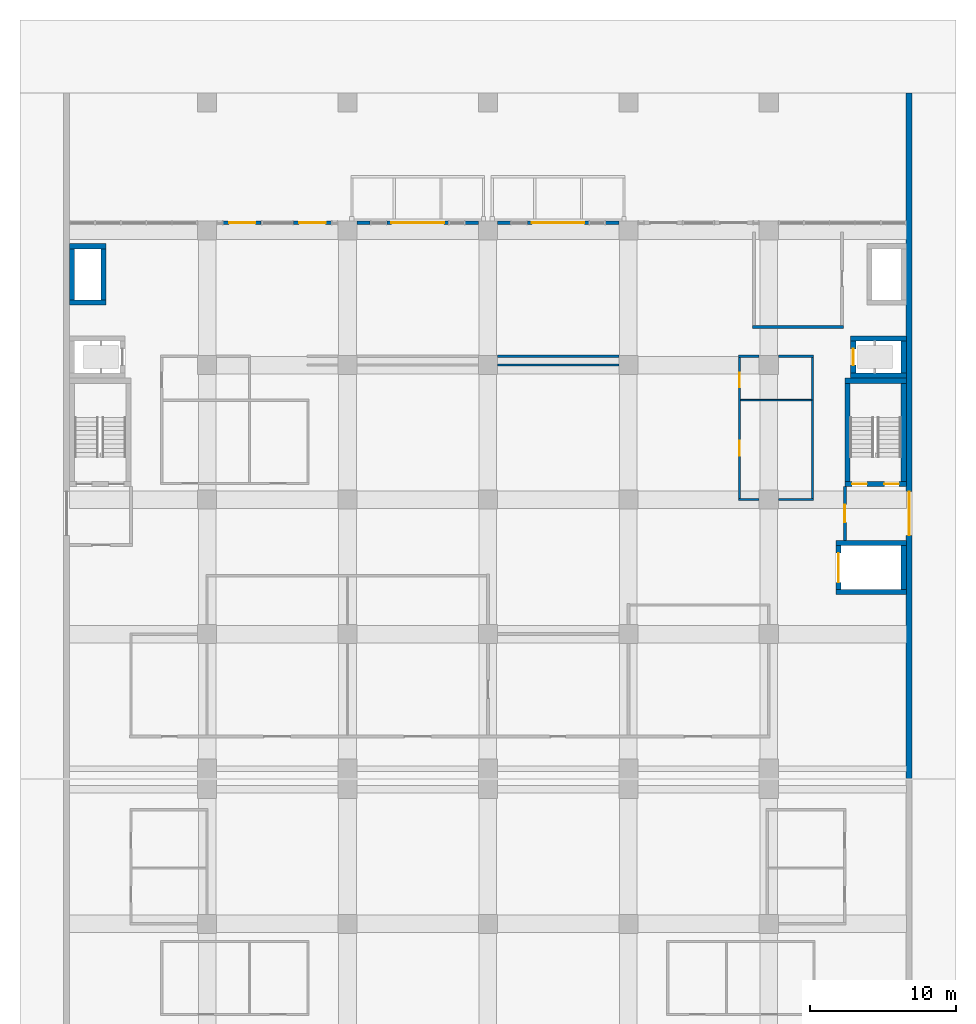
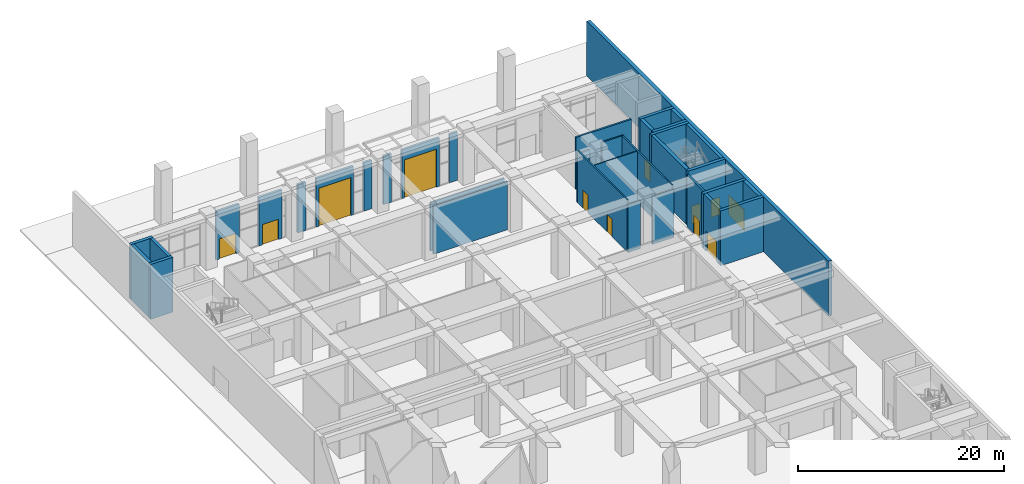
# One storey, part 22 of 45: 36 walls, 12 doors, 12 openings.
"""IFC4 building model written with IfcOpenShell, lengths in metres."""

import ifcopenshell
import ifcopenshell.guid

model = None  # the IFC model being written
_history = None  # IfcOwnerHistory: only IFC2X3 demands one
_inside = {}  # id of a spatial element -> (the spatial element, [elements in it])
_under = {}  # id of a project, library or spatial element -> (it, [spatial elements below it])
_declared = {}  # id of a project -> (the project, [libraries it declares])
_typed = {}  # id of a type object -> (the type object, [elements of that type])
_made_of = {}  # id of a material, layer set ... -> (it, [elements and type objects made of it])


def new_model(schema):
    """Start an empty IFC model of exactly this schema.

    Asked for "IFC4X3", IfcOpenShell would pick the latest addendum, in which some entities
    have other attributes; the version numbers below select the first issue.
    IFC2X3 requires an IfcOwnerHistory on every rooted entity: one is made here for all.
    """
    global model, _history
    if schema == "IFC4X3":
        model = ifcopenshell.file(schema_version=(4, 3, 0, 0))
    else:
        model = ifcopenshell.file(schema=schema)
    _inside.clear()
    _under.clear()
    _declared.clear()
    _typed.clear()
    _made_of.clear()
    _history = None
    if model.schema == "IFC2X3":
        org = make("IfcOrganization", Name="unknown")
        user = make(
            "IfcPersonAndOrganization",
            ThePerson=make("IfcPerson", FamilyName="unknown"),
            TheOrganization=org,
        )
        app = make(
            "IfcApplication",
            ApplicationDeveloper=org,
            Version="unknown",
            ApplicationFullName="unknown",
            ApplicationIdentifier="unknown",
        )
        _history = make(
            "IfcOwnerHistory",
            OwningUser=user,
            OwningApplication=app,
            ChangeAction="ADDED",
            CreationDate=0,
        )
    return model


def make(cls, **values):
    """One entity of the class cls with the attributes given. An attribute that is None is left unset."""
    return model.create_entity(
        cls, **{name: value for name, value in values.items() if value is not None}
    )


def rooted(cls, **values):
    """An entity with a GlobalId (a new one), such as an element, a storey or a relation."""
    return make(cls, GlobalId=ifcopenshell.guid.new(), OwnerHistory=_history, **values)


def si_unit(unit_type, name, prefix=None):
    """IfcSIUnit, for example si_unit("LENGTHUNIT", "METRE", prefix="MILLI")."""
    return make("IfcSIUnit", UnitType=unit_type, Prefix=prefix, Name=name)


def assignment(units):
    """IfcUnitAssignment: the units of a project."""
    return None if units is None else make("IfcUnitAssignment", Units=units)


def point(xyz):
    """IfcCartesianPoint."""
    return None if xyz is None else make("IfcCartesianPoint", Coordinates=xyz)


def direction(xyz):
    """IfcDirection."""
    return None if xyz is None else make("IfcDirection", DirectionRatios=xyz)


def frame(location, z_axis=None, x_axis=None):
    """IfcAxis2Placement3D, a coordinate frame: its origin and axes. An axis left out is left unset."""
    return make(
        "IfcAxis2Placement3D",
        Location=point(location),
        Axis=direction(z_axis),
        RefDirection=direction(x_axis),
    )


def frame_2d(location, x_axis=None):
    """IfcAxis2Placement2D, a coordinate frame in the plane: its origin and x axis."""
    return make(
        "IfcAxis2Placement2D", Location=point(location), RefDirection=direction(x_axis)
    )


def origin():
    """The frame at (0, 0, 0) with its axes left unset."""
    return frame((0.0, 0.0, 0.0))


def place(relative_to, where):
    """IfcLocalPlacement: puts the frame where relative to a parent placement (None: the world)."""
    return make(
        "IfcLocalPlacement", PlacementRelTo=relative_to, RelativePlacement=where
    )


def context(
    kind, dimensions, precision=None, world=None, true_north=None, identifier=None
):
    """IfcGeometricRepresentationContext, for example the 3D "Model" context."""
    return make(
        "IfcGeometricRepresentationContext",
        ContextIdentifier=identifier,
        ContextType=kind,
        CoordinateSpaceDimension=dimensions,
        Precision=precision,
        WorldCoordinateSystem=world,
        TrueNorth=true_north,
    )


def subcontext(parent, identifier, kind, view, scale=None):
    """IfcGeometricRepresentationSubContext, for example "Body" below "Model"."""
    return make(
        "IfcGeometricRepresentationSubContext",
        ContextIdentifier=identifier,
        ContextType=kind,
        ParentContext=parent,
        TargetScale=scale,
        TargetView=view,
    )


def project(units=None, contexts=None):
    """IfcProject with its units and contexts."""
    return rooted(
        "IfcProject",
        Name="project",
        RepresentationContexts=contexts,
        UnitsInContext=assignment(units),
    )


def spatial(cls, under=None, at=None, **own):
    """A site, building, storey or space (cls), placed at a placement, below another one or the project."""
    s = rooted(cls, ObjectPlacement=at, **own)
    if under is not None:
        _under.setdefault(under.id(), (under, []))[1].append(s)
    return s


def profile(cls, at=None, kind="AREA", **sizes):
    """A parametric profile (cls). Its sizes go by their IFC names, for example OverallWidth=200.0."""
    return make(cls, ProfileType=kind, Position=at, **sizes)


def rectangle(**sizes):
    """IfcRectangleProfileDef."""
    return profile("IfcRectangleProfileDef", **sizes)


def extrude(swept, where, along, depth):
    """IfcExtrudedAreaSolid: the profile swept, set in the frame where, extruded along a direction by depth."""
    return make(
        "IfcExtrudedAreaSolid",
        SweptArea=swept,
        Position=where,
        ExtrudedDirection=direction(along),
        Depth=depth,
    )


def shape(context_of_items, identifier, shape_type, items):
    """IfcShapeRepresentation: the items that make up one representation, for example the "Body"."""
    return make(
        "IfcShapeRepresentation",
        ContextOfItems=context_of_items,
        RepresentationIdentifier=identifier,
        RepresentationType=shape_type,
        Items=items,
    )


def material(Name=None, Category=None):
    """IfcMaterial."""
    return make("IfcMaterial", Name=Name, Category=Category)


def layer(
    of_material, thickness, ventilated=None, Name=None, Category=None, Priority=None
):
    """IfcMaterialLayer: one layer of a wall or slab, of a material (None: an air gap)."""
    return make(
        "IfcMaterialLayer",
        Material=of_material,
        LayerThickness=thickness,
        IsVentilated=ventilated,
        Name=Name,
        Category=Category,
        Priority=Priority,
    )


def layer_set(layers, Name=None):
    """IfcMaterialLayerSet."""
    return make("IfcMaterialLayerSet", MaterialLayers=layers, LayerSetName=Name)


def layer_usage(for_layer_set, set_direction, sense, offset, extent=None):
    """IfcMaterialLayerSetUsage: how a layer set lies in its element."""
    return make(
        "IfcMaterialLayerSetUsage",
        ForLayerSet=for_layer_set,
        LayerSetDirection=set_direction,
        DirectionSense=sense,
        OffsetFromReferenceLine=offset,
        ReferenceExtent=extent,
    )


def made_of(thing, what):
    """Note that an element or type object is made of a material, layer set ...; save() writes the relation."""
    if what is not None:
        _made_of.setdefault(what.id(), (what, []))[1].append(thing)
    return thing


def type_object(cls, material=None, **own):
    """A type object (cls), such as IfcWallType, which elements share."""
    return made_of(rooted(cls, **own), material)


def element(
    cls,
    number,
    at=None,
    inside=None,
    cuts=None,
    type_object=None,
    material=None,
    context=None,
    identifier="Body",
    shape_type=None,
    held_by="IfcProductDefinitionShape",
    body=None,
    shapes=None,
    **own,
):
    """One element of the class cls, such as IfcWall. Its Tag is "e" and its number.

    at: its placement. inside: the storey or other place that contains it. cuts: it is an
    opening in that element (IfcRelVoidsElement). A single representation is given by context,
    identifier, shape_type and body (its items); several are given by shapes. held_by: the class
    of the entity that holds the representations. save() writes the other relations.
    """
    e = rooted(cls, Tag="e%d" % number, ObjectPlacement=at, **own)
    if body is not None:
        shapes = [shape(context, identifier, shape_type, body)]
    if shapes is not None:
        e.Representation = make(held_by, Representations=shapes)
    if inside is not None:
        _inside.setdefault(inside.id(), (inside, []))[1].append(e)
    if cuts is not None:
        rooted(
            "IfcRelVoidsElement", RelatingBuildingElement=cuts, RelatedOpeningElement=e
        )
    if type_object is not None:
        _typed.setdefault(type_object.id(), (type_object, []))[1].append(e)
    return made_of(e, material)


def fill(opening, filler):
    """IfcRelFillsElement: the door or window that sits in an opening."""
    return rooted(
        "IfcRelFillsElement",
        RelatingOpeningElement=opening,
        RelatedBuildingElement=filler,
    )


def aggregate(whole, parts):
    """IfcRelAggregates: a whole, such as a stair, and the parts it consists of."""
    return rooted("IfcRelAggregates", RelatingObject=whole, RelatedObjects=parts)


def save(model, path):
    """Write the relations noted so far, then the file.

    IfcRelAggregates (storeys below a building ...), IfcRelContainedInSpatialStructure (elements
    in a storey), IfcRelDefinesByType, IfcRelAssociatesMaterial and IfcRelDeclares: one each for
    every whole, place, type object, material and project.
    """
    for whole, parts in _under.values():
        aggregate(whole, parts)
    for where, things in _inside.values():
        rooted(
            "IfcRelContainedInSpatialStructure",
            RelatedElements=things,
            RelatingStructure=where,
        )
    for kind, things in _typed.values():
        rooted("IfcRelDefinesByType", RelatedObjects=things, RelatingType=kind)
    for what, things in _made_of.values():
        rooted("IfcRelAssociatesMaterial", RelatedObjects=things, RelatingMaterial=what)
    for by, libraries in _declared.values():
        rooted("IfcRelDeclares", RelatingContext=by, RelatedDefinitions=libraries)
    model.write(path)


model = new_model("IFC4")

# Units and contexts
model_context = context("Model", 3, precision=1e-05, world=origin(), true_north=direction((0.0, 1.0)))
body_context = subcontext(model_context, "Body", "Model", "MODEL_VIEW")
ifc_project = project(units=[si_unit("LENGTHUNIT", "METRE"), si_unit("AREAUNIT", "SQUARE_METRE"), si_unit("VOLUMEUNIT", "CUBIC_METRE"), si_unit("PLANEANGLEUNIT", "RADIAN"), si_unit("MASSUNIT", "GRAM", prefix="KILO")], contexts=[model_context])

# Site, building, storey
site_placement = place(None, origin())
site = spatial("IfcSite", under=ifc_project, at=site_placement, CompositionType="ELEMENT")
building_placement = place(site_placement, origin())
building = spatial("IfcBuilding", under=site, at=building_placement, Name="Nzadi Deep Aquarium and Research Tower", CompositionType="ELEMENT")
storey_placement = place(building_placement, origin())
storey = spatial("IfcBuildingStorey", under=building, at=storey_placement, Name="G", CompositionType="ELEMENT", Elevation=0.0)

# Wall, opening, door
ifc_material_1 = material(Name="Concrete C35/45", Category="concrete")
ifc_layer_1 = layer(ifc_material_1, 0.199951171875, Category="cladding")
ifc_material_2 = material(Name="Mineral wool insulation")
ifc_layer_2 = layer(ifc_material_2, 0.050048828125, Category="insulation")
ifc_layer_set_1 = layer_set([ifc_layer_1, ifc_layer_2], Name="Concrete C35/45, Mineral wool insulation")
ifc_layer_usage_1 = layer_usage(ifc_layer_set_1, "AXIS2", "POSITIVE", -0.125)
wall_type_1 = type_object("IfcWallType", Name="Entrance pier wall stone clad 250", PredefinedType="ELEMENTEDWALL", material=ifc_layer_set_1)
wall_1_placement = place(storey_placement, frame((13.300048828125, 132.125, 0.0), z_axis=(0.0, 0.0, 1.0), x_axis=(-1.0, 0.0, 0.0)))
wall_1 = element("IfcWall", 1, at=wall_1_placement, inside=storey, type_object=wall_type_1, material=ifc_layer_usage_1, Name="Entrance pier G", PredefinedType="ELEMENTEDWALL", context=body_context, shape_type="SweptSolid", body=[
    extrude(rectangle(XDim=2.60009765625, YDim=0.25, at=frame_2d((1.300048828125, 0.0))), origin(), (0.0, 0.0, 1.0), 5.75),
])
opening_1_placement = place(wall_1_placement, frame((0.39990234375, 0.0, 0.0)))
opening_1 = element("IfcOpeningElement", 2, at=opening_1_placement, cuts=wall_1, Name="Opening DE007", PredefinedType="OPENING", context=body_context, shape_type="SweptSolid", body=[
    extrude(rectangle(XDim=1.800048828125, YDim=2.39990234375, at=frame_2d((0.89990234375, 1.199951171875))), frame((0.0, 0.135009765625, 0.0), z_axis=(0.0, -1.0, 0.0), x_axis=(1.0, 0.0, 0.0)), (0.0, 0.0, 1.0), 0.27001953125),
])
ifc_material_3 = material(Name="Aluminium framed glazing", Category="aluminium")
door_type_1 = type_object("IfcDoorType", Name="Main entrance double door 1800x2400", OperationType="DOUBLE_DOOR_SINGLE_SWING", PredefinedType="DOOR", material=ifc_material_3)
door_1_placement = place(opening_1_placement, frame((1.800048828125, 0.0, 0.0), z_axis=(0.0, 0.0, 1.0), x_axis=(-1.0, 0.0, 0.0)))
door_1 = element("IfcDoor", 3, at=door_1_placement, inside=storey, type_object=door_type_1, Name="Main entrance 1", OperationType="DOUBLE_DOOR_SINGLE_SWING", OverallHeight=2.39990234375, OverallWidth=1.800048828125, PredefinedType="DOOR", context=body_context, shape_type="SweptSolid", body=[
    extrude(rectangle(XDim=1.800048828125, YDim=2.39990234375, at=frame_2d((0.89990234375, 1.199951171875))), frame((0.0, 0.02490234375, 0.0), z_axis=(0.0, -1.0, 0.0), x_axis=(1.0, 0.0, 0.0)), (0.0, 0.0, 1.0), 0.050048828125),
])
fill(opening_1, door_1)

ifc_layer_usage_2 = layer_usage(ifc_layer_set_1, "AXIS2", "POSITIVE", -0.125)
wall_2_placement = place(storey_placement, frame((18.10009765625, 132.125, 0.0), z_axis=(0.0, 0.0, 1.0), x_axis=(-1.0, 0.0, 0.0)))
wall_2 = element("IfcWall", 4, at=wall_2_placement, inside=storey, type_object=wall_type_1, material=ifc_layer_usage_2, Name="Entrance pier G", PredefinedType="ELEMENTEDWALL", context=body_context, shape_type="SweptSolid", body=[
    extrude(rectangle(XDim=2.60009765625, YDim=0.25, at=frame_2d((1.300048828125, 0.0))), origin(), (0.0, 0.0, 1.0), 5.75),
])
opening_2_placement = place(wall_2_placement, frame((0.39990234375, 0.0, 0.0)))
opening_2 = element("IfcOpeningElement", 5, at=opening_2_placement, cuts=wall_2, Name="Opening DE008", PredefinedType="OPENING", context=body_context, shape_type="SweptSolid", body=[
    extrude(rectangle(XDim=1.800048828125, YDim=2.39990234375, at=frame_2d((0.89990234375, 1.199951171875))), frame((0.0, 0.135009765625, 0.0), z_axis=(0.0, -1.0, 0.0), x_axis=(1.0, 0.0, 0.0)), (0.0, 0.0, 1.0), 0.27001953125),
])
door_2_placement = place(opening_2_placement, frame((1.800048828125, 0.0, 0.0), z_axis=(0.0, 0.0, 1.0), x_axis=(-1.0, 0.0, 0.0)))
door_2 = element("IfcDoor", 6, at=door_2_placement, inside=storey, type_object=door_type_1, Name="Main entrance 2", OperationType="DOUBLE_DOOR_SINGLE_SWING", OverallHeight=2.39990234375, OverallWidth=1.800048828125, PredefinedType="DOOR", context=body_context, shape_type="SweptSolid", body=[
    extrude(rectangle(XDim=1.800048828125, YDim=2.39990234375, at=frame_2d((0.89990234375, 1.199951171875))), frame((0.0, 0.02490234375, 0.0), z_axis=(0.0, -1.0, 0.0), x_axis=(1.0, 0.0, 0.0)), (0.0, 0.0, 1.0), 0.050048828125),
])
fill(opening_2, door_2)

# Wall
ifc_material_4 = material(Name="Marine blue glazed ceramic")
ifc_layer_3 = layer(ifc_material_4, 0.050048828125, Category="cladding")
ifc_layer_4 = layer(ifc_material_1, 0.199951171875, Category="structure")
ifc_layer_set_2 = layer_set([ifc_layer_3, ifc_layer_4], Name="Marine blue glazed ceramic, Concrete C35/45")
ifc_layer_usage_3 = layer_usage(ifc_layer_set_2, "AXIS2", "POSITIVE", -0.125)
wall_type_2 = type_object("IfcWallType", Name="Entrance portal wall graphite shingle 250", PredefinedType="ELEMENTEDWALL", material=ifc_layer_set_2)
wall_3_placement = place(storey_placement, frame((20.75, 132.125, 0.0), z_axis=(0.0, 0.0, 1.0), x_axis=(-1.0, 0.0, 0.0)))
element("IfcWall", 7, at=wall_3_placement, inside=storey, type_object=wall_type_2, material=ifc_layer_usage_3, Name="Entrance pier G", PredefinedType="ELEMENTEDWALL", context=body_context, shape_type="SweptSolid", body=[
    extrude(rectangle(XDim=0.89990234375, YDim=0.25, at=frame_2d((0.449951171875, 0.0))), origin(), (0.0, 0.0, 1.0), 5.75),
])

# Wall, opening, door
ifc_layer_usage_4 = layer_usage(ifc_layer_set_2, "AXIS2", "POSITIVE", -0.125)
wall_4_placement = place(storey_placement, frame((26.10009765625, 132.125, 0.0), z_axis=(0.0, 0.0, 1.0), x_axis=(-1.0, 0.0, 0.0)))
wall_4 = element("IfcWall", 8, at=wall_4_placement, inside=storey, type_object=wall_type_2, material=ifc_layer_usage_4, Name="Entrance portal G", PredefinedType="ELEMENTEDWALL", context=body_context, shape_type="SweptSolid", body=[
    extrude(rectangle(XDim=4.2001953125, YDim=0.25, at=frame_2d((2.10009765625, 0.0))), origin(), (0.0, 0.0, 1.0), 5.75),
])
opening_3_placement = place(wall_4_placement, frame((0.300048828125, 0.0, 0.0)))
opening_3 = element("IfcOpeningElement", 9, at=opening_3_placement, cuts=wall_4, Name="Opening DE009", PredefinedType="OPENING", context=body_context, shape_type="SweptSolid", body=[
    extrude(rectangle(XDim=3.60009765625, YDim=4.5, at=frame_2d((1.800048828125, 2.25))), frame((0.0, 0.135009765625, 0.0), z_axis=(0.0, -1.0, 0.0), x_axis=(1.0, 0.0, 0.0)), (0.0, 0.0, 1.0), 0.27001953125),
])
ifc_material_5 = material(Name="Aluminium framed glazing", Category="aluminium")
door_type_2 = type_object("IfcDoorType", Name="Main entrance sliding door 3600x4500", OperationType="DOUBLE_DOOR_SLIDING", PredefinedType="DOOR", material=ifc_material_5)
door_3_placement = place(opening_3_placement, frame((3.60009765625, 0.0, 0.0), z_axis=(0.0, 0.0, 1.0), x_axis=(-1.0, 0.0, 0.0)))
door_3 = element("IfcDoor", 10, at=door_3_placement, inside=storey, type_object=door_type_2, Name="Main entrance 3", OperationType="DOUBLE_DOOR_SLIDING", OverallHeight=4.5, OverallWidth=3.60009765625, PredefinedType="DOOR", context=body_context, shape_type="SweptSolid", body=[
    extrude(rectangle(XDim=3.60009765625, YDim=4.5, at=frame_2d((1.800048828125, 2.25))), frame((0.0, 0.02490234375, 0.0), z_axis=(0.0, -1.0, 0.0), x_axis=(1.0, 0.0, 0.0)), (0.0, 0.0, 1.0), 0.050048828125),
])
fill(opening_3, door_3)

# Walls
ifc_layer_usage_5 = layer_usage(ifc_layer_set_2, "AXIS2", "POSITIVE", -0.125)
wall_5_placement = place(storey_placement, frame((28.14990234375, 132.125, 0.0), z_axis=(0.0, 0.0, 1.0), x_axis=(-1.0, 0.0, 0.0)))
element("IfcWall", 11, at=wall_5_placement, inside=storey, type_object=wall_type_2, material=ifc_layer_usage_5, Name="Entrance pier G", PredefinedType="ELEMENTEDWALL", context=body_context, shape_type="SweptSolid", body=[
    extrude(rectangle(XDim=0.89990234375, YDim=0.25, at=frame_2d((0.449951171875, 0.0))), origin(), (0.0, 0.0, 1.0), 5.75),
])
ifc_layer_usage_6 = layer_usage(ifc_layer_set_2, "AXIS2", "POSITIVE", -0.125)
wall_6_placement = place(storey_placement, frame((30.35009765625, 132.125, 0.0), z_axis=(0.0, 0.0, 1.0), x_axis=(-1.0, 0.0, 0.0)))
element("IfcWall", 12, at=wall_6_placement, inside=storey, type_object=wall_type_2, material=ifc_layer_usage_6, Name="Entrance pier G", PredefinedType="ELEMENTEDWALL", context=body_context, shape_type="SweptSolid", body=[
    extrude(rectangle(XDim=0.900146484375, YDim=0.25, at=frame_2d((0.4501953125, 0.0))), origin(), (0.0, 0.0, 1.0), 5.75),
])

# Wall, opening, door
ifc_layer_usage_7 = layer_usage(ifc_layer_set_2, "AXIS2", "POSITIVE", -0.125)
wall_7_placement = place(storey_placement, frame((35.699951171875, 132.125, 0.0), z_axis=(0.0, 0.0, 1.0), x_axis=(-1.0, 0.0, 0.0)))
wall_7 = element("IfcWall", 13, at=wall_7_placement, inside=storey, type_object=wall_type_2, material=ifc_layer_usage_7, Name="Entrance portal G", PredefinedType="ELEMENTEDWALL", context=body_context, shape_type="SweptSolid", body=[
    extrude(rectangle(XDim=4.199951171875, YDim=0.25, at=frame_2d((2.10009765625, 0.0))), origin(), (0.0, 0.0, 1.0), 5.75),
])
opening_4_placement = place(wall_7_placement, frame((0.300048828125, 0.0, 0.0)))
opening_4 = element("IfcOpeningElement", 14, at=opening_4_placement, cuts=wall_7, Name="Opening DE010", PredefinedType="OPENING", context=body_context, shape_type="SweptSolid", body=[
    extrude(rectangle(XDim=3.60009765625, YDim=4.5, at=frame_2d((1.800048828125, 2.25))), frame((0.0, 0.135009765625, 0.0), z_axis=(0.0, -1.0, 0.0), x_axis=(1.0, 0.0, 0.0)), (0.0, 0.0, 1.0), 0.27001953125),
])
door_4_placement = place(opening_4_placement, frame((3.60009765625, 0.0, 0.0), z_axis=(0.0, 0.0, 1.0), x_axis=(-1.0, 0.0, 0.0)))
door_4 = element("IfcDoor", 15, at=door_4_placement, inside=storey, type_object=door_type_2, Name="Main entrance 4", OperationType="DOUBLE_DOOR_SLIDING", OverallHeight=4.5, OverallWidth=3.60009765625, PredefinedType="DOOR", context=body_context, shape_type="SweptSolid", body=[
    extrude(rectangle(XDim=3.60009765625, YDim=4.5, at=frame_2d((1.800048828125, 2.25))), frame((0.0, 0.02490234375, 0.0), z_axis=(0.0, -1.0, 0.0), x_axis=(1.0, 0.0, 0.0)), (0.0, 0.0, 1.0), 0.050048828125),
])
fill(opening_4, door_4)

# Walls
ifc_layer_usage_8 = layer_usage(ifc_layer_set_2, "AXIS2", "POSITIVE", -0.125)
wall_8_placement = place(storey_placement, frame((37.75, 132.125, 0.0), z_axis=(0.0, 0.0, 1.0), x_axis=(-1.0, 0.0, 0.0)))
element("IfcWall", 16, at=wall_8_placement, inside=storey, type_object=wall_type_2, material=ifc_layer_usage_8, Name="Entrance pier G", PredefinedType="ELEMENTEDWALL", context=body_context, shape_type="SweptSolid", body=[
    extrude(rectangle(XDim=0.89990234375, YDim=0.25, at=frame_2d((0.449951171875, 0.0))), origin(), (0.0, 0.0, 1.0), 5.75),
])
ifc_material_6 = material(Name="Blockwork masonry", Category="masonry")
ifc_layer_5 = layer(ifc_material_6, 0.10009765625)
ifc_layer_set_3 = layer_set([ifc_layer_5], Name="Blockwork masonry")
wall_type_3 = type_object("IfcWallType", Name="Partition 100 EI 30", PredefinedType="PARTITIONING", material=ifc_layer_set_3)
wall_9_placement = place(storey_placement, frame((46.074951171875, 120.0, 0.0), z_axis=(0.0, 0.0, 1.0), x_axis=(1.0, 0.0, 0.0)))
element("IfcWall", 17, at=wall_9_placement, inside=storey, type_object=wall_type_3, Name="W-Z3-G-P034", PredefinedType="PARTITIONING", context=body_context, shape_type="SweptSolid", body=[
    extrude(rectangle(XDim=4.85009765625, YDim=0.10009765625, at=frame_2d((2.425048828125, 0.0))), origin(), (0.0, 0.0, 1.0), 6.14990234375),
])

# Wall, openings, doors
ifc_material_7 = material(Name="Blockwork masonry", Category="masonry")
ifc_layer_6 = layer(ifc_material_7, 0.14990234375)
ifc_layer_set_4 = layer_set([ifc_layer_6], Name="Blockwork masonry")
wall_type_4 = type_object("IfcWallType", Name="Partition 150 EI 60", PredefinedType="PARTITIONING", material=ifc_layer_set_4)
wall_10_placement = place(storey_placement, frame((46.0, 113.27490234375, 0.0), z_axis=(0.0, 0.0, 1.0), x_axis=(0.0, 1.0, 0.0)))
wall_10 = element("IfcWall", 18, at=wall_10_placement, inside=storey, type_object=wall_type_4, Name="W-Z3-G-P032", PredefinedType="PARTITIONING", context=body_context, shape_type="SweptSolid", body=[
    extrude(rectangle(XDim=9.650146484375, YDim=0.14990234375, at=frame_2d((4.8251953125, 0.0))), origin(), (0.0, 0.0, 1.0), 6.14990234375),
])
opening_5_placement = place(wall_10_placement, frame((2.93505859375, 0.0, 0.0)))
opening_5 = element("IfcOpeningElement", 19, at=opening_5_placement, cuts=wall_10, Name="Opening D013009", PredefinedType="OPENING", context=body_context, shape_type="SweptSolid", body=[
    extrude(rectangle(XDim=1.0, YDim=2.10009765625, at=frame_2d((0.5, 1.050048828125))), frame((0.0, 0.0849609375, 0.0), z_axis=(0.0, -1.0, 0.0), x_axis=(1.0, 0.0, 0.0)), (0.0, 0.0, 1.0), 0.169921875),
])
opening_6_placement = place(wall_10_placement, frame((7.614990234375, 0.0, 0.0)))
opening_6 = element("IfcOpeningElement", 20, at=opening_6_placement, cuts=wall_10, Name="Opening D013011", PredefinedType="OPENING", context=body_context, shape_type="SweptSolid", body=[
    extrude(rectangle(XDim=1.0, YDim=2.10009765625, at=frame_2d((0.5, 1.050048828125))), frame((0.0, 0.0849609375, 0.0), z_axis=(0.0, -1.0, 0.0), x_axis=(1.0, 0.0, 0.0)), (0.0, 0.0, 1.0), 0.169921875),
])
ifc_material_8 = material(Name="Fire-rated steel door", Category="steel")
ifc_layer_7 = layer(ifc_material_8, 0.050048828125)
ifc_layer_set_5 = layer_set([ifc_layer_7], Name="Fire-rated steel door")
door_type_3 = type_object("IfcDoorType", Name="Door 1000x2100 EI 60 single", OperationType="SINGLE_SWING_LEFT", PredefinedType="DOOR", material=ifc_layer_set_5)
door_5_placement = place(opening_5_placement, origin())
door_5 = element("IfcDoor", 21, at=door_5_placement, inside=storey, type_object=door_type_3, Name="D013009", OperationType="SINGLE_SWING_RIGHT", OverallHeight=2.10009765625, OverallWidth=1.0, PredefinedType="DOOR", context=body_context, shape_type="SweptSolid", body=[
    extrude(rectangle(XDim=1.0, YDim=2.10009765625, at=frame_2d((0.5, 1.050048828125))), frame((0.0, 0.02490234375, 0.0), z_axis=(0.0, -1.0, 0.0), x_axis=(1.0, 0.0, 0.0)), (0.0, 0.0, 1.0), 0.050048828125),
])
fill(opening_5, door_5)
door_6_placement = place(opening_6_placement, origin())
door_6 = element("IfcDoor", 22, at=door_6_placement, inside=storey, type_object=door_type_3, Name="D013011", OperationType="SINGLE_SWING_LEFT", OverallHeight=2.10009765625, OverallWidth=1.0, PredefinedType="DOOR", context=body_context, shape_type="SweptSolid", body=[
    extrude(rectangle(XDim=1.0, YDim=2.10009765625, at=frame_2d((0.5, 1.050048828125))), frame((0.0, 0.02490234375, 0.0), z_axis=(0.0, -1.0, 0.0), x_axis=(1.0, 0.0, 0.0)), (0.0, 0.0, 1.0), 0.050048828125),
])
fill(opening_6, door_6)

# Walls
wall_11_placement = place(storey_placement, frame((48.64990234375, 123.0, 0.0), z_axis=(0.0, 0.0, 1.0), x_axis=(1.0, 0.0, 0.0)))
element("IfcWall", 23, at=wall_11_placement, inside=storey, type_object=wall_type_4, Name="W-Z3-G-P040", PredefinedType="PARTITIONING", context=body_context, shape_type="SweptSolid", body=[
    extrude(rectangle(XDim=2.425048828125, YDim=0.14990234375, at=frame_2d((1.21240234375, 0.0))), origin(), (0.0, 0.0, 1.0), 6.14990234375),
])
wall_12_placement = place(storey_placement, frame((51.0, 113.27490234375, 0.0), z_axis=(0.0, 0.0, 1.0), x_axis=(0.0, 1.0, 0.0)))
element("IfcWall", 24, at=wall_12_placement, inside=storey, type_object=wall_type_4, Name="W-Z3-G-P041", PredefinedType="PARTITIONING", context=body_context, shape_type="SweptSolid", body=[
    extrude(rectangle(XDim=9.650146484375, YDim=0.14990234375, at=frame_2d((4.8251953125, 0.0))), origin(), (0.0, 0.0, 1.0), 6.14990234375),
])
ifc_material_9 = material(Name="Blockwork masonry", Category="masonry")
ifc_layer_8 = layer(ifc_material_9, 0.14990234375)
ifc_layer_set_6 = layer_set([ifc_layer_8], Name="Blockwork masonry")
wall_type_5 = type_object("IfcWallType", Name="Partition 150 EI 60, 5.75 m high", PredefinedType="PARTITIONING", material=ifc_layer_set_6)
for number, where, z_axis, x_axis, name in (
    (25, (29.449951171875, 122.39990234375, 0.0), (0.0, 0.0, 1.0), (1.0, 0.0, 0.0), "W-Z3-G-P026"),
    (26, (29.449951171875, 123.0, 0.0), (0.0, 0.0, 1.0), (1.0, 0.0, 0.0), "W-Z3-G-P027"),
):
    element("IfcWall", number, at=place(storey_placement, frame(where, z_axis=z_axis, x_axis=x_axis)), inside=storey, type_object=wall_type_5, Name=name, PredefinedType="PARTITIONING", context=body_context, shape_type="SweptSolid", body=[
        extrude(rectangle(XDim=8.300048828125, YDim=0.14990234375, at=frame_2d((4.14990234375, 0.0))), origin(), (0.0, 0.0, 1.0), 5.75),
    ])
for number, where, z_axis, x_axis, name in (
    (27, (45.925048828125, 113.199951171875, 0.0), (0.0, 0.0, 1.0), (1.0, 0.0, 0.0), "W-Z3-G-P031"),
    (28, (45.925048828125, 123.0, 0.0), (0.0, 0.0, 1.0), (1.0, 0.0, 0.0), "W-Z3-G-P033"),
):
    element("IfcWall", number, at=place(storey_placement, frame(where, z_axis=z_axis, x_axis=x_axis)), inside=storey, type_object=wall_type_5, Name=name, PredefinedType="PARTITIONING", context=body_context, shape_type="SweptSolid", body=[
        extrude(rectangle(XDim=1.425048828125, YDim=0.14990234375, at=frame_2d((0.71240234375, 0.0))), origin(), (0.0, 0.0, 1.0), 5.75),
    ])
wall_13_placement = place(storey_placement, frame((48.64990234375, 113.199951171875, 0.0), z_axis=(0.0, 0.0, 1.0), x_axis=(1.0, 0.0, 0.0)))
element("IfcWall", 29, at=wall_13_placement, inside=storey, type_object=wall_type_5, Name="W-Z3-G-P039", PredefinedType="PARTITIONING", context=body_context, shape_type="SweptSolid", body=[
    extrude(rectangle(XDim=2.425048828125, YDim=0.14990234375, at=frame_2d((1.21240234375, 0.0))), origin(), (0.0, 0.0, 1.0), 5.75),
])
ifc_material_10 = material(Name="Blockwork masonry", Category="masonry")
ifc_layer_9 = layer(ifc_material_10, 0.199951171875)
ifc_layer_set_7 = layer_set([ifc_layer_9], Name="Blockwork masonry")
wall_type_6 = type_object("IfcWallType", Name="Partition 200 EI 120", PredefinedType="PARTITIONING", material=ifc_layer_set_7)
wall_14_placement = place(storey_placement, frame((46.89990234375, 125.0, 0.0), z_axis=(0.0, 0.0, 1.0), x_axis=(1.0, 0.0, 0.0)))
element("IfcWall", 30, at=wall_14_placement, inside=storey, type_object=wall_type_6, Name="W-Z3-G-P035", PredefinedType="PARTITIONING", context=body_context, shape_type="SweptSolid", body=[
    extrude(rectangle(XDim=6.2001953125, YDim=0.199951171875, at=frame_2d((3.10009765625, 0.0))), origin(), (0.0, 0.0, 1.0), 6.14990234375),
])

# Wall, opening, door
wall_15_placement = place(storey_placement, frame((53.199951171875, 110.406005859375, 0.0), z_axis=(0.0, 0.0, 1.0), x_axis=(0.0, 1.0, 0.0)))
wall_15 = element("IfcWall", 31, at=wall_15_placement, inside=storey, type_object=wall_type_6, Name="W-Z3-G-P043", PredefinedType="PARTITIONING", context=body_context, shape_type="SweptSolid", body=[
    extrude(rectangle(XDim=3.68798828125, YDim=0.199951171875, at=frame_2d((1.843994140625, 0.0))), origin(), (0.0, 0.0, 1.0), 6.14990234375),
])
opening_7_placement = place(wall_15_placement, frame((1.243896484375, 0.0, 0.0)))
opening_7 = element("IfcOpeningElement", 32, at=opening_7_placement, cuts=wall_15, Name="Opening D013014", PredefinedType="OPENING", context=body_context, shape_type="SweptSolid", body=[
    extrude(rectangle(XDim=1.199951171875, YDim=2.10009765625, at=frame_2d((0.60009765625, 1.050048828125))), frame((0.0, 0.110107421875, 0.0), z_axis=(0.0, -1.0, 0.0), x_axis=(1.0, 0.0, 0.0)), (0.0, 0.0, 1.0), 0.22021484375),
])
ifc_material_11 = material(Name="Fire-rated steel door", Category="steel")
ifc_layer_10 = layer(ifc_material_11, 0.050048828125)
ifc_layer_set_8 = layer_set([ifc_layer_10], Name="Fire-rated steel door")
door_type_4 = type_object("IfcDoorType", Name="Door 1200x2100 EI 120 single", OperationType="SINGLE_SWING_LEFT", PredefinedType="DOOR", material=ifc_layer_set_8)
door_7_placement = place(opening_7_placement, origin())
door_7 = element("IfcDoor", 33, at=door_7_placement, inside=storey, type_object=door_type_4, Name="D013014", OperationType="SINGLE_SWING_RIGHT", OverallHeight=2.10009765625, OverallWidth=1.199951171875, PredefinedType="DOOR", context=body_context, shape_type="SweptSolid", body=[
    extrude(rectangle(XDim=1.199951171875, YDim=2.10009765625, at=frame_2d((0.60009765625, 1.050048828125))), frame((0.0, 0.02490234375, 0.0), z_axis=(0.0, -1.0, 0.0), x_axis=(1.0, 0.0, 0.0)), (0.0, 0.0, 1.0), 0.050048828125),
])
fill(opening_7, door_7)

# Wall, openings, doors
ifc_material_12 = material(Name="Concrete C35/45", Category="concrete")
ifc_layer_11 = layer(ifc_material_12, 0.35009765625)
ifc_layer_set_9 = layer_set([ifc_layer_11], Name="Concrete C35/45")
wall_type_7 = type_object("IfcWallType", Name="RC core wall 350, 5.50 to 6.50 m high", PredefinedType="SHEAR", material=ifc_layer_set_9)
wall_16_placement = place(storey_placement, frame((53.199951171875, 114.27490234375, 0.0), z_axis=(0.0, 0.0, 1.0), x_axis=(1.0, 0.0, 0.0)))
wall_16 = element("IfcWall", 34, at=wall_16_placement, inside=storey, type_object=wall_type_7, Name="W-CORE-ST-Z3-E-G-S", PredefinedType="SHEAR", context=body_context, shape_type="SweptSolid", body=[
    extrude(rectangle(XDim=4.199951171875, YDim=0.35009765625, at=frame_2d((2.10009765625, 0.0))), origin(), (0.0, 0.0, 1.0), 6.5),
])
opening_8_placement = place(wall_16_placement, frame((0.5, 0.0, 0.0)))
opening_8 = element("IfcOpeningElement", 35, at=opening_8_placement, cuts=wall_16, Name="Opening DS-Z3-E-GA", PredefinedType="OPENING", context=body_context, shape_type="SweptSolid", body=[
    extrude(rectangle(XDim=1.0, YDim=2.10009765625, at=frame_2d((0.5, 1.050048828125))), frame((0.0, 0.18505859375, 0.0), z_axis=(0.0, -1.0, 0.0), x_axis=(1.0, 0.0, 0.0)), (0.0, 0.0, 1.0), 0.3701171875),
])
opening_9_placement = place(wall_16_placement, frame((2.699951171875, 0.0, 0.0)))
opening_9 = element("IfcOpeningElement", 36, at=opening_9_placement, cuts=wall_16, Name="Opening DS-Z3-E-GB", PredefinedType="OPENING", context=body_context, shape_type="SweptSolid", body=[
    extrude(rectangle(XDim=1.0, YDim=2.10009765625, at=frame_2d((0.5, 1.050048828125))), frame((0.0, 0.18505859375, 0.0), z_axis=(0.0, -1.0, 0.0), x_axis=(1.0, 0.0, 0.0)), (0.0, 0.0, 1.0), 0.3701171875),
])
ifc_material_13 = material(Name="Steel, powder coated", Category="steel")
door_type_5 = type_object("IfcDoorType", Name="STAIR DOOR 1000x2100 EI 60", OperationType="SINGLE_SWING_LEFT", PredefinedType="DOOR", material=ifc_material_13)
door_8_placement = place(opening_8_placement, origin())
door_8 = element("IfcDoor", 37, at=door_8_placement, inside=storey, type_object=door_type_5, Name="Stair door ST-Z3-E G A", OperationType="SINGLE_SWING_LEFT", OverallHeight=2.10009765625, OverallWidth=1.0, PredefinedType="DOOR", context=body_context, shape_type="SweptSolid", body=[
    extrude(rectangle(XDim=1.0, YDim=2.10009765625, at=frame_2d((0.5, 1.050048828125))), frame((0.0, 0.02490234375, 0.0), z_axis=(0.0, -1.0, 0.0), x_axis=(1.0, 0.0, 0.0)), (0.0, 0.0, 1.0), 0.050048828125),
])
fill(opening_8, door_8)
door_9_placement = place(opening_9_placement, origin())
door_9 = element("IfcDoor", 38, at=door_9_placement, inside=storey, type_object=door_type_5, Name="Stair door ST-Z3-E G B", OperationType="SINGLE_SWING_RIGHT", OverallHeight=2.10009765625, OverallWidth=1.0, PredefinedType="DOOR", context=body_context, shape_type="SweptSolid", body=[
    extrude(rectangle(XDim=1.0, YDim=2.10009765625, at=frame_2d((0.5, 1.050048828125))), frame((0.0, 0.02490234375, 0.0), z_axis=(0.0, -1.0, 0.0), x_axis=(1.0, 0.0, 0.0)), (0.0, 0.0, 1.0), 0.050048828125),
])
fill(opening_9, door_9)

# Walls
wall_17_placement = place(storey_placement, frame((53.199951171875, 121.324951171875, 0.0), z_axis=(0.0, 0.0, 1.0), x_axis=(1.0, 0.0, 0.0)))
element("IfcWall", 39, at=wall_17_placement, inside=storey, type_object=wall_type_7, Name="W-CORE-ST-Z3-E-G-N", PredefinedType="SHEAR", context=body_context, shape_type="SweptSolid", body=[
    extrude(rectangle(XDim=4.199951171875, YDim=0.35009765625, at=frame_2d((2.10009765625, 0.0))), origin(), (0.0, 0.0, 1.0), 6.5),
])
for number, where, z_axis, x_axis, name in (
    (40, (53.375, 114.449951171875, 0.0), (0.0, 0.0, 1.0), (0.0, 1.0, 0.0), "W-CORE-ST-Z3-E-G-W"),
    (41, (57.22509765625, 114.449951171875, 0.0), (0.0, 0.0, 1.0), (0.0, 1.0, 0.0), "W-CORE-ST-Z3-E-G-E"),
):
    element("IfcWall", number, at=place(storey_placement, frame(where, z_axis=z_axis, x_axis=x_axis)), inside=storey, type_object=wall_type_7, Name=name, PredefinedType="SHEAR", context=body_context, shape_type="SweptSolid", body=[
        extrude(rectangle(XDim=6.699951171875, YDim=0.35009765625, at=frame_2d((3.35009765625, 0.0))), origin(), (0.0, 0.0, 1.0), 6.5),
    ])
for number, where, z_axis, x_axis, name in (
    (42, (53.60009765625, 121.675048828125, 0.0), (0.0, 0.0, 1.0), (1.0, 0.0, 0.0), "W-CORE-PL6-G-S"),
    (43, (53.60009765625, 124.22509765625, 0.0), (0.0, 0.0, 1.0), (1.0, 0.0, 0.0), "W-CORE-PL6-G-N"),
):
    element("IfcWall", number, at=place(storey_placement, frame(where, z_axis=z_axis, x_axis=x_axis)), inside=storey, type_object=wall_type_7, Name=name, PredefinedType="SHEAR", context=body_context, shape_type="SweptSolid", body=[
        extrude(rectangle(XDim=3.7998046875, YDim=0.35009765625, at=frame_2d((1.89990234375, 0.0))), origin(), (0.0, 0.0, 1.0), 6.5),
    ])

# Wall, opening, door
wall_18_placement = place(storey_placement, frame((53.77490234375, 121.85009765625, 0.0), z_axis=(0.0, 0.0, 1.0), x_axis=(0.0, 1.0, 0.0)))
wall_18 = element("IfcWall", 44, at=wall_18_placement, inside=storey, type_object=wall_type_7, Name="W-CORE-PL6-G-W", PredefinedType="SHEAR", context=body_context, shape_type="SweptSolid", body=[
    extrude(rectangle(XDim=2.199951171875, YDim=0.35009765625, at=frame_2d((1.10009765625, 0.0))), origin(), (0.0, 0.0, 1.0), 6.5),
])
opening_10_placement = place(wall_18_placement, frame((0.550048828125, 0.0, 0.0)))
opening_10 = element("IfcOpeningElement", 45, at=opening_10_placement, cuts=wall_18, Name="Opening LD-PL6-G", PredefinedType="OPENING", context=body_context, shape_type="SweptSolid", body=[
    extrude(rectangle(XDim=1.10009765625, YDim=2.10009765625, at=frame_2d((0.550048828125, 1.050048828125))), frame((0.0, 0.18505859375, 0.0), z_axis=(0.0, -1.0, 0.0), x_axis=(1.0, 0.0, 0.0)), (0.0, 0.0, 1.0), 0.3701171875),
])
ifc_material_14 = material(Name="Stainless steel 1.4301", Category="steel")
door_type_6 = type_object("IfcDoorType", Name="LANDING DOOR 1100x2100", OperationType="DOUBLE_DOOR_SLIDING", PredefinedType="DOOR", material=ifc_material_14)
door_10_placement = place(opening_10_placement, origin())
door_10 = element("IfcDoor", 46, at=door_10_placement, inside=storey, type_object=door_type_6, Name="Landing door PL6 G", OperationType="DOUBLE_DOOR_SLIDING", OverallHeight=2.10009765625, OverallWidth=1.10009765625, PredefinedType="DOOR", context=body_context, shape_type="SweptSolid", body=[
    extrude(rectangle(XDim=1.10009765625, YDim=2.10009765625, at=frame_2d((0.550048828125, 1.050048828125))), frame((0.0, 0.02490234375, 0.0), z_axis=(0.0, -1.0, 0.0), x_axis=(1.0, 0.0, 0.0)), (0.0, 0.0, 1.0), 0.050048828125),
])
fill(opening_10, door_10)

# Walls
wall_19_placement = place(storey_placement, frame((57.22509765625, 121.85009765625, 0.0), z_axis=(0.0, 0.0, 1.0), x_axis=(0.0, 1.0, 0.0)))
element("IfcWall", 47, at=wall_19_placement, inside=storey, type_object=wall_type_7, Name="W-CORE-PL6-G-E", PredefinedType="SHEAR", context=body_context, shape_type="SweptSolid", body=[
    extrude(rectangle(XDim=2.199951171875, YDim=0.35009765625, at=frame_2d((1.10009765625, 0.0))), origin(), (0.0, 0.0, 1.0), 6.5),
])
for number, where, z_axis, x_axis, name in (
    (48, (52.60009765625, 106.875, 0.0), (0.0, 0.0, 1.0), (1.0, 0.0, 0.0), "W-CORE-GL2-G-S"),
    (49, (52.60009765625, 110.22509765625, 0.0), (0.0, 0.0, 1.0), (1.0, 0.0, 0.0), "W-CORE-GL2-G-N"),
):
    element("IfcWall", number, at=place(storey_placement, frame(where, z_axis=z_axis, x_axis=x_axis)), inside=storey, type_object=wall_type_7, Name=name, PredefinedType="SHEAR", context=body_context, shape_type="SweptSolid", body=[
        extrude(rectangle(XDim=4.7998046875, YDim=0.35009765625, at=frame_2d((2.39990234375, 0.0))), origin(), (0.0, 0.0, 1.0), 6.5),
    ])

# Wall, opening, door
wall_20_placement = place(storey_placement, frame((52.77490234375, 107.050048828125, 0.0), z_axis=(0.0, 0.0, 1.0), x_axis=(0.0, 1.0, 0.0)))
wall_20 = element("IfcWall", 50, at=wall_20_placement, inside=storey, type_object=wall_type_7, Name="W-CORE-GL2-G-W", PredefinedType="SHEAR", context=body_context, shape_type="SweptSolid", body=[
    extrude(rectangle(XDim=3.0, YDim=0.35009765625, at=frame_2d((1.5, 0.0))), origin(), (0.0, 0.0, 1.0), 6.5),
])
opening_11_placement = place(wall_20_placement, frame((0.5, 0.0, 0.0)))
opening_11 = element("IfcOpeningElement", 51, at=opening_11_placement, cuts=wall_20, Name="Opening LD-GL2-G", PredefinedType="OPENING", context=body_context, shape_type="SweptSolid", body=[
    extrude(rectangle(XDim=2.0, YDim=2.39990234375, at=frame_2d((1.0, 1.199951171875))), frame((0.0, 0.18505859375, 0.0), z_axis=(0.0, -1.0, 0.0), x_axis=(1.0, 0.0, 0.0)), (0.0, 0.0, 1.0), 0.3701171875),
])
ifc_material_15 = material(Name="Stainless steel 1.4301", Category="steel")
door_type_7 = type_object("IfcDoorType", Name="LANDING DOOR 2000x2400", OperationType="DOUBLE_DOOR_SLIDING", PredefinedType="DOOR", material=ifc_material_15)
door_11_placement = place(opening_11_placement, origin())
door_11 = element("IfcDoor", 52, at=door_11_placement, inside=storey, type_object=door_type_7, Name="Landing door GL2 G", OperationType="DOUBLE_DOOR_SLIDING", OverallHeight=2.39990234375, OverallWidth=2.0, PredefinedType="DOOR", context=body_context, shape_type="SweptSolid", body=[
    extrude(rectangle(XDim=2.0, YDim=2.39990234375, at=frame_2d((1.0, 1.199951171875))), frame((0.0, 0.02490234375, 0.0), z_axis=(0.0, -1.0, 0.0), x_axis=(1.0, 0.0, 0.0)), (0.0, 0.0, 1.0), 0.050048828125),
])
fill(opening_11, door_11)

# Walls
wall_21_placement = place(storey_placement, frame((57.22509765625, 107.050048828125, 0.0), z_axis=(0.0, 0.0, 1.0), x_axis=(0.0, 1.0, 0.0)))
element("IfcWall", 53, at=wall_21_placement, inside=storey, type_object=wall_type_7, Name="W-CORE-GL2-G-E", PredefinedType="SHEAR", context=body_context, shape_type="SweptSolid", body=[
    extrude(rectangle(XDim=3.0, YDim=0.35009765625, at=frame_2d((1.5, 0.0))), origin(), (0.0, 0.0, 1.0), 6.5),
])
for number, where, z_axis, x_axis, name in (
    (54, (0.199951171875, 126.675048828125, 0.0), (0.0, 0.0, 1.0), (1.0, 0.0, 0.0), "W-CORE-RS-Z3-W-G-S"),
    (55, (0.199951171875, 130.52490234375, 0.0), (0.0, 0.0, 1.0), (1.0, 0.0, 0.0), "W-CORE-RS-Z3-W-G-N"),
):
    element("IfcWall", number, at=place(storey_placement, frame(where, z_axis=z_axis, x_axis=x_axis)), inside=storey, type_object=wall_type_7, Name=name, PredefinedType="SHEAR", context=body_context, shape_type="SweptSolid", body=[
        extrude(rectangle(XDim=2.5, YDim=0.35009765625, at=frame_2d((1.25, 0.0))), origin(), (0.0, 0.0, 1.0), 6.5),
    ])
for number, where, z_axis, x_axis, name in (
    (56, (0.375, 126.85009765625, 0.0), (0.0, 0.0, 1.0), (0.0, 1.0, 0.0), "W-CORE-RS-Z3-W-G-W"),
    (57, (2.52490234375, 126.85009765625, 0.0), (0.0, 0.0, 1.0), (0.0, 1.0, 0.0), "W-CORE-RS-Z3-W-G-E"),
):
    element("IfcWall", number, at=place(storey_placement, frame(where, z_axis=z_axis, x_axis=x_axis)), inside=storey, type_object=wall_type_7, Name=name, PredefinedType="SHEAR", context=body_context, shape_type="SweptSolid", body=[
        extrude(rectangle(XDim=3.5, YDim=0.35009765625, at=frame_2d((1.75, 0.0))), origin(), (0.0, 0.0, 1.0), 6.5),
    ])

# Wall, opening, door
ifc_material_16 = material(Name="Concrete C35/45", Category="concrete")
ifc_layer_12 = layer(ifc_material_16, 0.39990234375)
ifc_layer_set_10 = layer_set([ifc_layer_12], Name="Concrete C35/45")
wall_type_8 = type_object("IfcWallType", Name="RC party wall 400", PredefinedType="SHEAR", material=ifc_layer_set_10)
wall_22_placement = place(storey_placement, frame((57.599609375, 94.1201171875, 0.0), z_axis=(0.0, 0.0, 1.0), x_axis=(0.0, 1.0, 0.0)))
wall_22 = element("IfcWall", 58, at=wall_22_placement, inside=storey, type_object=wall_type_8, Name="W-PTY-Z3-G-E", PredefinedType="SHEAR", context=body_context, shape_type="SweptSolid", body=[
    extrude(rectangle(XDim=46.8798828125, YDim=0.39990234375, at=frame_2d((23.43994140625, 0.0))), origin(), (0.0, 0.0, 1.0), 6.5),
])
opening_12_placement = place(wall_22_placement, frame((16.6298828125, 0.0, 0.0)))
opening_12 = element("IfcOpeningElement", 59, at=opening_12_placement, cuts=wall_22, Name="Opening DE027", PredefinedType="OPENING", context=body_context, shape_type="SweptSolid", body=[
    extrude(rectangle(XDim=3.0, YDim=2.39990234375, at=frame_2d((1.5, 1.199951171875))), frame((0.0, 0.2099609375, 0.0), z_axis=(0.0, -1.0, 0.0), x_axis=(1.0, 0.0, 0.0)), (0.0, 0.0, 1.0), 0.419921875),
])
ifc_material_17 = material(Name="Aluminium framed glazing", Category="aluminium")
door_type_8 = type_object("IfcDoorType", Name="Pedestrian exit double door 3000x2400", OperationType="DOUBLE_DOOR_SINGLE_SWING", PredefinedType="DOOR", material=ifc_material_17)
door_12_placement = place(opening_12_placement, frame((3.0, 0.0, 0.0), z_axis=(0.0, 0.0, 1.0), x_axis=(-1.0, 0.0, 0.0)))
door_12 = element("IfcDoor", 60, at=door_12_placement, inside=storey, type_object=door_type_8, Name="Pedestrian exit 8", OperationType="DOUBLE_DOOR_SINGLE_SWING", OverallHeight=2.39990234375, OverallWidth=3.0, PredefinedType="DOOR", context=body_context, shape_type="SweptSolid", body=[
    extrude(rectangle(XDim=3.0, YDim=2.39990234375, at=frame_2d((1.5, 1.199951171875))), frame((0.0, 0.02490234375, 0.0), z_axis=(0.0, -1.0, 0.0), x_axis=(1.0, 0.0, 0.0)), (0.0, 0.0, 1.0), 0.050048828125),
])
fill(opening_12, door_12)

save(model, "model.ifc")
